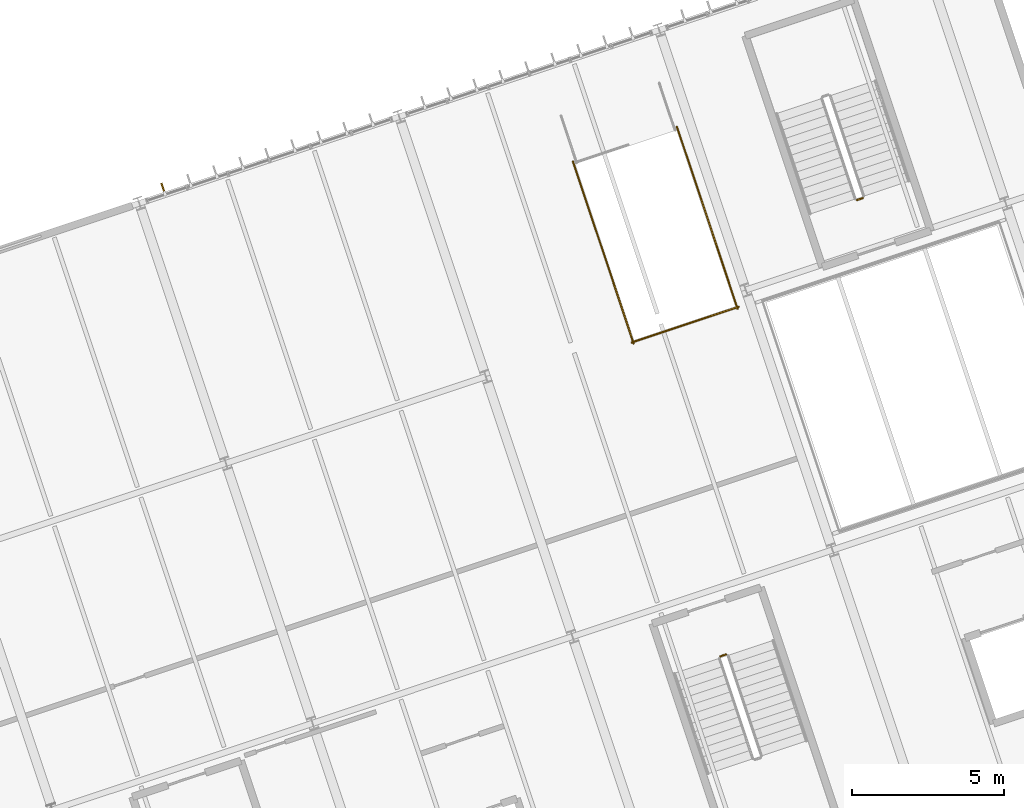
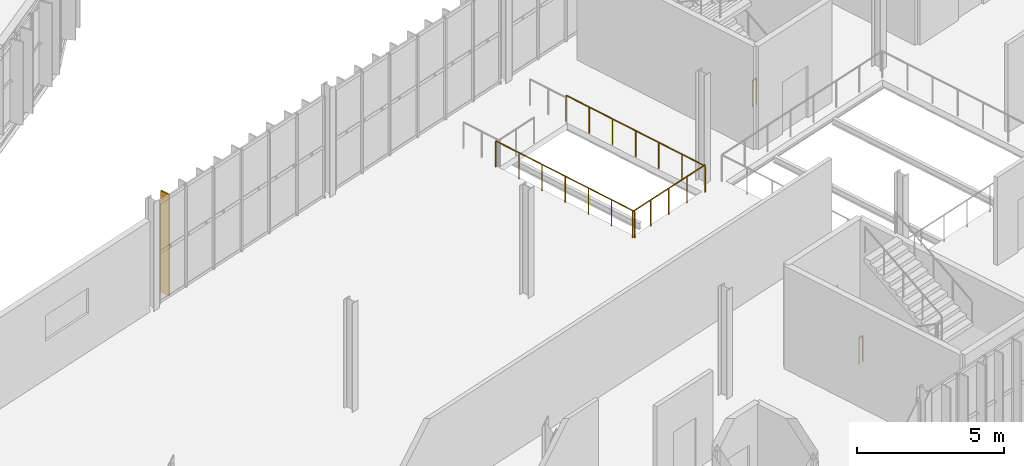
# One storey, part 143 of 152: 5 railings, 1 shading device.
"""IFC4 building model written with IfcOpenShell, lengths in metres."""

from ifc_helpers import new_model, si_unit, derived_unit, direction, frame, origin, origin_2d, place, context, subcontext, project, spatial, rectangle, circle, extrude, material, layer, layer_set, type_object, element, save


model = new_model("IFC4")

# Units and contexts
model_context = context("Model", 3, precision=1e-05, world=origin(), true_north=direction((0.0, 1.0)))
body_context = subcontext(model_context, "Body", "Model", "MODEL_VIEW")
ifc_project = project(units=[si_unit("LENGTHUNIT", "METRE"), si_unit("AREAUNIT", "SQUARE_METRE"), si_unit("VOLUMEUNIT", "CUBIC_METRE"), si_unit("PLANEANGLEUNIT", "RADIAN"), si_unit("MASSUNIT", "GRAM", prefix="KILO"), si_unit("THERMODYNAMICTEMPERATUREUNIT", "KELVIN"), si_unit("TIMEUNIT", "SECOND"), derived_unit("THERMALTRANSMITTANCEUNIT", [(si_unit("MASSUNIT", "GRAM", prefix="KILO"), 1), (si_unit("THERMODYNAMICTEMPERATUREUNIT", "KELVIN"), -1), (si_unit("TIMEUNIT", "SECOND"), -3)])], contexts=[model_context])

# Site, building, storey
site_placement = place(None, origin())
site = spatial("IfcSite", under=ifc_project, at=site_placement, CompositionType="ELEMENT")
building_placement = place(site_placement, origin())
building = spatial("IfcBuilding", under=site, at=building_placement, Name="Cambertide Market Hall", CompositionType="ELEMENT")
storey_placement = place(building_placement, frame((0.0, 0.0, 5.39990234375)))
storey = spatial("IfcBuildingStorey", under=building, at=storey_placement, Name="L02", CompositionType="ELEMENT", Elevation=5.39990234375)

# Railings
ifc_material_1 = material(Name="Stainless Steel Grade 316", Category="metal")
railing_type = type_object("IfcRailingType", Name="Stairwell Inner Guardrail 1100", PredefinedType="GUARDRAIL", material=ifc_material_1)
railing_1_placement = place(storey_placement, frame((133.62255859375, 28.427978515625, 0.0)))
element("IfcRailing", 1, at=railing_1_placement, inside=storey, type_object=railing_type, Name="Level 2 ST-06A stair guard 4", PredefinedType="GUARDRAIL", context=body_context, shape_type="SweptSolid", body=[
    extrude(circle(Radius=0.02392578125, at=origin_2d()), frame((0.0, 0.0, 1.076171875), z_axis=(0.948683298051, 0.316227766017, 0.0), x_axis=(-0.316227766017, 0.948683298051, 0.0)), (0.0, 0.0, 1.0), 0.199951171875),
    extrude(circle(Radius=0.02099609375, at=origin_2d()), origin(), (0.0, 0.0, 1.0), 1.052001953125),
    extrude(circle(Radius=0.02099609375, at=origin_2d()), frame((0.189697265625, 0.063232421875, 0.0)), (0.0, 0.0, 1.0), 1.052001953125),
])
railing_2_placement = place(storey_placement, frame((138.302734375, 43.48046875, 0.0)))
element("IfcRailing", 2, at=railing_2_placement, inside=storey, type_object=railing_type, Name="Level 2 ST-06B stair guard 4", PredefinedType="GUARDRAIL", context=body_context, shape_type="SweptSolid", body=[
    extrude(circle(Radius=0.02392578125, at=origin_2d()), frame((0.0, 0.0, 1.076171875), z_axis=(-0.948683298051, -0.316227766017, 0.0), x_axis=(0.316227766017, -0.948683298051, 0.0)), (0.0, 0.0, 1.0), 0.199951171875),
    extrude(circle(Radius=0.02099609375, at=origin_2d()), origin(), (0.0, 0.0, 1.0), 1.052001953125),
    extrude(circle(Radius=0.02099609375, at=origin_2d()), frame((-0.189697265625, -0.063232421875, 0.0)), (0.0, 0.0, 1.0), 1.052001953125),
])
for number, where, name in (
    (3, (128.7841796875, 44.68212890625, 0.0), "Level 2 ST-12 top well guard 2"),
    (4, (132.199462890625, 45.820556640625, 0.0), "Level 2 ST-12 top well guard 3"),
):
    element("IfcRailing", number, at=place(storey_placement, frame(where)), inside=storey, type_object=railing_type, Name=name, PredefinedType="GUARDRAIL", context=body_context, shape_type="SweptSolid", body=[
        extrude(circle(Radius=0.02392578125, at=origin_2d()), frame((0.0, 0.0, 1.076171875), z_axis=(0.3162161404, -0.948687173177, 0.0), x_axis=(0.948687173177, 0.3162161404, 0.0)), (0.0, 0.0, 1.0), 6.300048828125),
        extrude(circle(Radius=0.02099609375, at=origin_2d()), origin(), (0.0, 0.0, 1.0), 1.052001953125),
        extrude(circle(Radius=0.02099609375, at=origin_2d()), frame((0.33203125, -0.99609375, 0.0)), (0.0, 0.0, 1.0), 1.052001953125),
        extrude(circle(Radius=0.02099609375, at=origin_2d()), frame((0.6640625, -1.9921875, 0.0)), (0.0, 0.0, 1.0), 1.052001953125),
        extrude(circle(Radius=0.02099609375, at=origin_2d()), frame((0.99609375, -2.98828125, 0.0)), (0.0, 0.0, 1.0), 1.052001953125),
        extrude(circle(Radius=0.02099609375, at=origin_2d()), frame((1.328125, -3.984619140625, 0.0)), (0.0, 0.0, 1.0), 1.052001953125),
        extrude(circle(Radius=0.02099609375, at=origin_2d()), frame((1.66015625, -4.980712890625, 0.0)), (0.0, 0.0, 1.0), 1.052001953125),
        extrude(circle(Radius=0.02099609375, at=origin_2d()), frame((1.9921875, -5.976806640625, 0.0)), (0.0, 0.0, 1.0), 1.052001953125),
    ])
railing_3_placement = place(storey_placement, frame((130.713134765625, 38.737060546875, 0.0)))
element("IfcRailing", 5, at=railing_3_placement, inside=storey, type_object=railing_type, Name="Level 2 ST-12 top well guard 4", PredefinedType="GUARDRAIL", context=body_context, shape_type="SweptSolid", body=[
    extrude(circle(Radius=0.02392578125, at=origin_2d()), frame((0.0, 0.0, 1.076171875), z_axis=(0.948696493726, 0.316188176237, 0.0), x_axis=(-0.316188176237, 0.948696493726, 0.0)), (0.0, 0.0, 1.0), 3.7001953125),
    extrude(circle(Radius=0.02099609375, at=origin_2d()), origin(), (0.0, 0.0, 1.0), 1.052001953125),
    extrude(circle(Radius=0.02099609375, at=origin_2d()), frame((0.87744140625, 0.29248046875, 0.0)), (0.0, 0.0, 1.0), 1.052001953125),
    extrude(circle(Radius=0.02099609375, at=origin_2d()), frame((1.755126953125, 0.5849609375, 0.0)), (0.0, 0.0, 1.0), 1.052001953125),
    extrude(circle(Radius=0.02099609375, at=origin_2d()), frame((2.6328125, 0.87744140625, 0.0)), (0.0, 0.0, 1.0), 1.052001953125),
    extrude(circle(Radius=0.02099609375, at=origin_2d()), frame((3.51025390625, 1.169921875, 0.0)), (0.0, 0.0, 1.0), 1.052001953125),
])

# Shading device
ifc_material_2 = material(Name="Champagne Marine Anodized Aluminium 6063-T6 AA25", Category="aluminium")
ifc_layer = layer(ifc_material_2, 0.054931640625, Name="Wing Facade Vertical Sun Fin 380x55")
ifc_layer_set = layer_set([ifc_layer], Name="Champagne Marine Anodized Aluminium 6063-T6 AA25")
shading_device_type = type_object("IfcShadingDeviceType", Name="Wing Facade Vertical Sun Fin 380x55", PredefinedType="JALOUSIE", material=ifc_layer_set)
shading_device_placement = place(storey_placement, frame((115.325439453125, 43.790283203125, 0.0), z_axis=(0.0, 0.0, 1.0), x_axis=(0.948683274577, 0.316227836438, 0.0)))
element("IfcShadingDevice", 6, at=shading_device_placement, inside=storey, type_object=shading_device_type, Name="CW-V3N-L02-3 Vertical Fin 1", PredefinedType="JALOUSIE", context=body_context, shape_type="SweptSolid", body=[
    extrude(rectangle(XDim=0.054931640625, YDim=0.3798828125, at=origin_2d()), origin(), (0.0, 0.0, 1.0), 4.199951171875),
])

save(model, "model.ifc")
